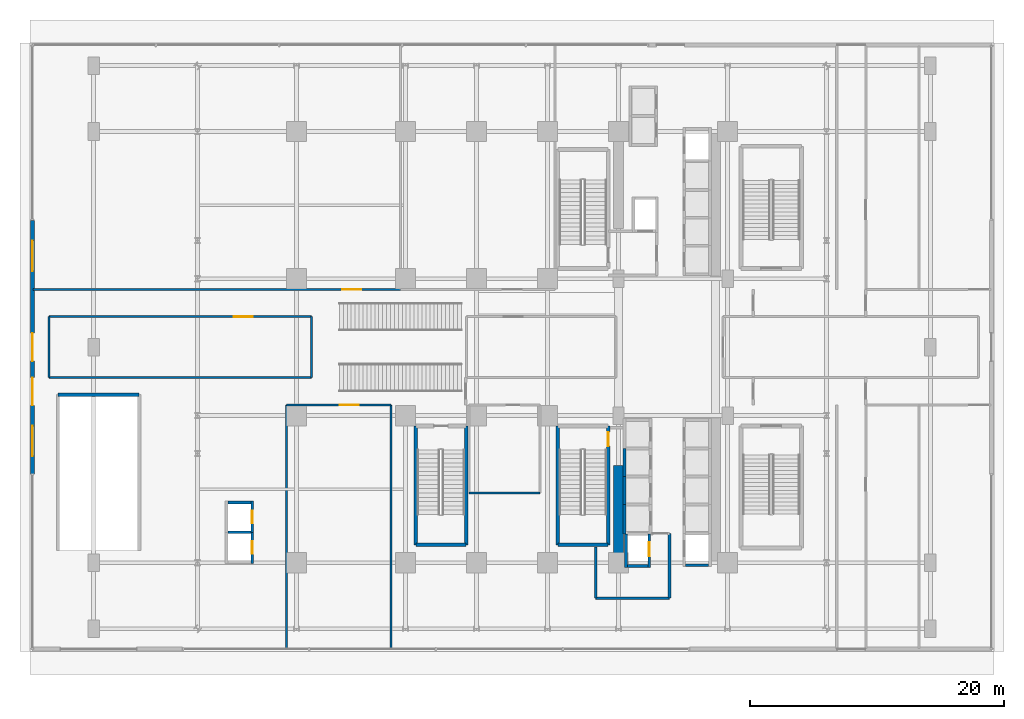
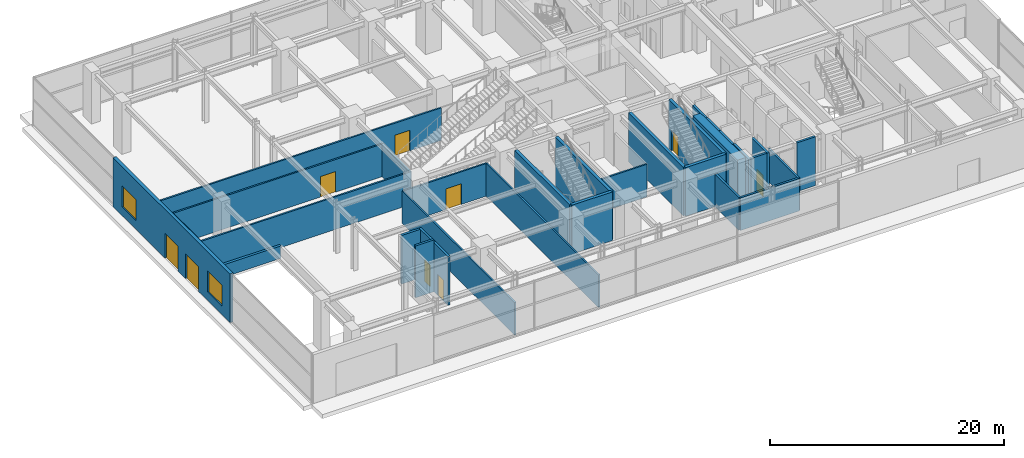
# One storey, part 22 of 29: 32 walls, 9 doors, 2 windows, 11 openings.
"""IFC4 building model written with IfcOpenShell, lengths in metres."""

import ifcopenshell
import ifcopenshell.guid

model = None  # the IFC model being written
_history = None  # IfcOwnerHistory: only IFC2X3 demands one
_inside = {}  # id of a spatial element -> (the spatial element, [elements in it])
_under = {}  # id of a project, library or spatial element -> (it, [spatial elements below it])
_declared = {}  # id of a project -> (the project, [libraries it declares])
_typed = {}  # id of a type object -> (the type object, [elements of that type])
_made_of = {}  # id of a material, layer set ... -> (it, [elements and type objects made of it])


def new_model(schema):
    """Start an empty IFC model of exactly this schema.

    Asked for "IFC4X3", IfcOpenShell would pick the latest addendum, in which some entities
    have other attributes; the version numbers below select the first issue.
    IFC2X3 requires an IfcOwnerHistory on every rooted entity: one is made here for all.
    """
    global model, _history
    if schema == "IFC4X3":
        model = ifcopenshell.file(schema_version=(4, 3, 0, 0))
    else:
        model = ifcopenshell.file(schema=schema)
    _inside.clear()
    _under.clear()
    _declared.clear()
    _typed.clear()
    _made_of.clear()
    _history = None
    if model.schema == "IFC2X3":
        org = make("IfcOrganization", Name="unknown")
        user = make(
            "IfcPersonAndOrganization",
            ThePerson=make("IfcPerson", FamilyName="unknown"),
            TheOrganization=org,
        )
        app = make(
            "IfcApplication",
            ApplicationDeveloper=org,
            Version="unknown",
            ApplicationFullName="unknown",
            ApplicationIdentifier="unknown",
        )
        _history = make(
            "IfcOwnerHistory",
            OwningUser=user,
            OwningApplication=app,
            ChangeAction="ADDED",
            CreationDate=0,
        )
    return model


def make(cls, **values):
    """One entity of the class cls with the attributes given. An attribute that is None is left unset."""
    return model.create_entity(
        cls, **{name: value for name, value in values.items() if value is not None}
    )


def rooted(cls, **values):
    """An entity with a GlobalId (a new one), such as an element, a storey or a relation."""
    return make(cls, GlobalId=ifcopenshell.guid.new(), OwnerHistory=_history, **values)


def si_unit(unit_type, name, prefix=None):
    """IfcSIUnit, for example si_unit("LENGTHUNIT", "METRE", prefix="MILLI")."""
    return make("IfcSIUnit", UnitType=unit_type, Prefix=prefix, Name=name)


def assignment(units):
    """IfcUnitAssignment: the units of a project."""
    return None if units is None else make("IfcUnitAssignment", Units=units)


def point(xyz):
    """IfcCartesianPoint."""
    return None if xyz is None else make("IfcCartesianPoint", Coordinates=xyz)


def direction(xyz):
    """IfcDirection."""
    return None if xyz is None else make("IfcDirection", DirectionRatios=xyz)


def frame(location, z_axis=None, x_axis=None):
    """IfcAxis2Placement3D, a coordinate frame: its origin and axes. An axis left out is left unset."""
    return make(
        "IfcAxis2Placement3D",
        Location=point(location),
        Axis=direction(z_axis),
        RefDirection=direction(x_axis),
    )


def frame_2d(location, x_axis=None):
    """IfcAxis2Placement2D, a coordinate frame in the plane: its origin and x axis."""
    return make(
        "IfcAxis2Placement2D", Location=point(location), RefDirection=direction(x_axis)
    )


def origin():
    """The frame at (0, 0, 0) with its axes left unset."""
    return frame((0.0, 0.0, 0.0))


def place(relative_to, where):
    """IfcLocalPlacement: puts the frame where relative to a parent placement (None: the world)."""
    return make(
        "IfcLocalPlacement", PlacementRelTo=relative_to, RelativePlacement=where
    )


def context(
    kind, dimensions, precision=None, world=None, true_north=None, identifier=None
):
    """IfcGeometricRepresentationContext, for example the 3D "Model" context."""
    return make(
        "IfcGeometricRepresentationContext",
        ContextIdentifier=identifier,
        ContextType=kind,
        CoordinateSpaceDimension=dimensions,
        Precision=precision,
        WorldCoordinateSystem=world,
        TrueNorth=true_north,
    )


def subcontext(parent, identifier, kind, view, scale=None):
    """IfcGeometricRepresentationSubContext, for example "Body" below "Model"."""
    return make(
        "IfcGeometricRepresentationSubContext",
        ContextIdentifier=identifier,
        ContextType=kind,
        ParentContext=parent,
        TargetScale=scale,
        TargetView=view,
    )


def project(units=None, contexts=None):
    """IfcProject with its units and contexts."""
    return rooted(
        "IfcProject",
        Name="project",
        RepresentationContexts=contexts,
        UnitsInContext=assignment(units),
    )


def spatial(cls, under=None, at=None, **own):
    """A site, building, storey or space (cls), placed at a placement, below another one or the project."""
    s = rooted(cls, ObjectPlacement=at, **own)
    if under is not None:
        _under.setdefault(under.id(), (under, []))[1].append(s)
    return s


def profile(cls, at=None, kind="AREA", **sizes):
    """A parametric profile (cls). Its sizes go by their IFC names, for example OverallWidth=200.0."""
    return make(cls, ProfileType=kind, Position=at, **sizes)


def rectangle(**sizes):
    """IfcRectangleProfileDef."""
    return profile("IfcRectangleProfileDef", **sizes)


def extrude(swept, where, along, depth):
    """IfcExtrudedAreaSolid: the profile swept, set in the frame where, extruded along a direction by depth."""
    return make(
        "IfcExtrudedAreaSolid",
        SweptArea=swept,
        Position=where,
        ExtrudedDirection=direction(along),
        Depth=depth,
    )


def shape(context_of_items, identifier, shape_type, items):
    """IfcShapeRepresentation: the items that make up one representation, for example the "Body"."""
    return make(
        "IfcShapeRepresentation",
        ContextOfItems=context_of_items,
        RepresentationIdentifier=identifier,
        RepresentationType=shape_type,
        Items=items,
    )


def source(mapping_origin, context_of_items, identifier, shape_type, items):
    """IfcRepresentationMap: a shape defined once, which mapped items show again and again."""
    return make(
        "IfcRepresentationMap",
        MappingOrigin=mapping_origin,
        MappedRepresentation=shape(context_of_items, identifier, shape_type, items),
    )


def transform(
    local_origin,
    x_axis=None,
    y_axis=None,
    z_axis=None,
    scale=None,
    scale2=None,
    scale3=None,
    uniform=True,
):
    """IfcCartesianTransformationOperator3D, or its non-uniform kind. x_axis, y_axis, z_axis: its Axis1, 2, 3."""
    if uniform:
        return make(
            "IfcCartesianTransformationOperator3D",
            Axis1=direction(x_axis),
            Axis2=direction(y_axis),
            LocalOrigin=point(local_origin),
            Scale=scale,
            Axis3=direction(z_axis),
        )
    return make(
        "IfcCartesianTransformationOperator3DnonUniform",
        Axis1=direction(x_axis),
        Axis2=direction(y_axis),
        LocalOrigin=point(local_origin),
        Scale=scale,
        Axis3=direction(z_axis),
        Scale2=scale2,
        Scale3=scale3,
    )


def mapped(mapping_source, mapping_target):
    """IfcMappedItem: shows the shape of a source again, moved by a transform."""
    return make(
        "IfcMappedItem", MappingSource=mapping_source, MappingTarget=mapping_target
    )


def material(Name=None, Category=None):
    """IfcMaterial."""
    return make("IfcMaterial", Name=Name, Category=Category)


def layer(
    of_material, thickness, ventilated=None, Name=None, Category=None, Priority=None
):
    """IfcMaterialLayer: one layer of a wall or slab, of a material (None: an air gap)."""
    return make(
        "IfcMaterialLayer",
        Material=of_material,
        LayerThickness=thickness,
        IsVentilated=ventilated,
        Name=Name,
        Category=Category,
        Priority=Priority,
    )


def layer_set(layers, Name=None):
    """IfcMaterialLayerSet."""
    return make("IfcMaterialLayerSet", MaterialLayers=layers, LayerSetName=Name)


def made_of(thing, what):
    """Note that an element or type object is made of a material, layer set ...; save() writes the relation."""
    if what is not None:
        _made_of.setdefault(what.id(), (what, []))[1].append(thing)
    return thing


def type_object(cls, material=None, **own):
    """A type object (cls), such as IfcWallType, which elements share."""
    return made_of(rooted(cls, **own), material)


def element(
    cls,
    number,
    at=None,
    inside=None,
    cuts=None,
    type_object=None,
    material=None,
    context=None,
    identifier="Body",
    shape_type=None,
    held_by="IfcProductDefinitionShape",
    body=None,
    shapes=None,
    **own,
):
    """One element of the class cls, such as IfcWall. Its Tag is "e" and its number.

    at: its placement. inside: the storey or other place that contains it. cuts: it is an
    opening in that element (IfcRelVoidsElement). A single representation is given by context,
    identifier, shape_type and body (its items); several are given by shapes. held_by: the class
    of the entity that holds the representations. save() writes the other relations.
    """
    e = rooted(cls, Tag="e%d" % number, ObjectPlacement=at, **own)
    if body is not None:
        shapes = [shape(context, identifier, shape_type, body)]
    if shapes is not None:
        e.Representation = make(held_by, Representations=shapes)
    if inside is not None:
        _inside.setdefault(inside.id(), (inside, []))[1].append(e)
    if cuts is not None:
        rooted(
            "IfcRelVoidsElement", RelatingBuildingElement=cuts, RelatedOpeningElement=e
        )
    if type_object is not None:
        _typed.setdefault(type_object.id(), (type_object, []))[1].append(e)
    return made_of(e, material)


def fill(opening, filler):
    """IfcRelFillsElement: the door or window that sits in an opening."""
    return rooted(
        "IfcRelFillsElement",
        RelatingOpeningElement=opening,
        RelatedBuildingElement=filler,
    )


def aggregate(whole, parts):
    """IfcRelAggregates: a whole, such as a stair, and the parts it consists of."""
    return rooted("IfcRelAggregates", RelatingObject=whole, RelatedObjects=parts)


def save(model, path):
    """Write the relations noted so far, then the file.

    IfcRelAggregates (storeys below a building ...), IfcRelContainedInSpatialStructure (elements
    in a storey), IfcRelDefinesByType, IfcRelAssociatesMaterial and IfcRelDeclares: one each for
    every whole, place, type object, material and project.
    """
    for whole, parts in _under.values():
        aggregate(whole, parts)
    for where, things in _inside.values():
        rooted(
            "IfcRelContainedInSpatialStructure",
            RelatedElements=things,
            RelatingStructure=where,
        )
    for kind, things in _typed.values():
        rooted("IfcRelDefinesByType", RelatedObjects=things, RelatingType=kind)
    for what, things in _made_of.values():
        rooted("IfcRelAssociatesMaterial", RelatedObjects=things, RelatingMaterial=what)
    for by, libraries in _declared.values():
        rooted("IfcRelDeclares", RelatingContext=by, RelatedDefinitions=libraries)
    model.write(path)


model = new_model("IFC4")

# Units and contexts
model_context = context("Model", 3, precision=1e-05, world=origin(), true_north=direction((0.0, 1.0)))
body_context = subcontext(model_context, "Body", "Model", "MODEL_VIEW")
ifc_project = project(units=[si_unit("LENGTHUNIT", "METRE"), si_unit("AREAUNIT", "SQUARE_METRE"), si_unit("VOLUMEUNIT", "CUBIC_METRE"), si_unit("PLANEANGLEUNIT", "RADIAN"), si_unit("MASSUNIT", "GRAM", prefix="KILO")], contexts=[model_context])

# Site, building, storey
site_placement = place(None, origin())
site = spatial("IfcSite", under=ifc_project, at=site_placement, CompositionType="ELEMENT")
building_placement = place(site_placement, origin())
building = spatial("IfcBuilding", under=site, at=building_placement, Name="Nahalor Promenade Grand Hotel", CompositionType="ELEMENT")
storey_placement = place(building_placement, origin())
storey = spatial("IfcBuildingStorey", under=building, at=storey_placement, Name="L00", CompositionType="ELEMENT", Elevation=0.0)

# Walls
ifc_material_1 = material(Name="Concrete B-70 (C60/75)", Category="concrete")
ifc_layer_1 = layer(ifc_material_1, 0.800048828125)
ifc_layer_set_1 = layer_set([ifc_layer_1], Name="Concrete B-70 (C60/75)")
wall_type_1 = type_object("IfcWallType", Name="Wall-CoreShear-800", PredefinedType="SHEAR", material=ifc_layer_set_1)
shared_shape_1 = source(origin(), body_context, "Body", "SweptSolid", [
    extrude(rectangle(XDim=7.64990234375, YDim=0.800048828125, at=frame_2d((3.824951171875, 0.0))), origin(), (0.0, 0.0, 1.0), 5.080078125),
])
wall_1_placement = place(storey_placement, frame((8.39990234375, -17.0, 0.0), z_axis=(0.0, 0.0, 1.0), x_axis=(0.0, 1.0, 0.0)))
element("IfcWall", 1, at=wall_1_placement, inside=storey, type_object=wall_type_1, Name="CWALL-L00-SW", PredefinedType="SHEAR", context=body_context, shape_type="MappedRepresentation", body=[
    mapped(shared_shape_1, transform((0.0, 0.0, 0.0), scale=1.0)),
])
ifc_material_2 = material(Name="Concrete B-50 (C40/50)", Category="concrete")
ifc_layer_2 = layer(ifc_material_2, 0.300048828125)
ifc_layer_set_2 = layer_set([ifc_layer_2], Name="Concrete B-50 (C40/50)")
wall_type_2 = type_object("IfcWallType", Name="Wall-ShaftShear-300", PredefinedType="SHEAR", material=ifc_layer_set_2)
shared_shape_2 = source(origin(), body_context, "Body", "SweptSolid", [
    extrude(rectangle(XDim=3.97998046875, YDim=0.300048828125, at=frame_2d((1.989990234375, 0.0))), origin(), (0.0, 0.0, 1.0), 5.080078125),
])
for number, where, z_axis, x_axis, name in (
    (2, (3.610107421875, -15.590087890625, 0.0), (0.0, 0.0, 1.0), (1.0, 0.0, 0.0), "L00 Exit Stair ST2 Shaft Wall S"),
    (3, (-7.590087890625, -15.590087890625, 0.0), (0.0, 0.0, 1.0), (1.0, 0.0, 0.0), "L00 Exit Stair ST3 Shaft Wall S"),
):
    element("IfcWall", number, at=place(storey_placement, frame(where, z_axis=z_axis, x_axis=x_axis)), inside=storey, type_object=wall_type_2, Name=name, PredefinedType="SHEAR", context=body_context, shape_type="MappedRepresentation", body=[
        mapped(shared_shape_2, transform((0.0, 0.0, 0.0), scale=1.0)),
    ])
shared_shape_3 = source(origin(), body_context, "Body", "SweptSolid", [
    extrude(rectangle(XDim=9.380126953125, YDim=0.300048828125, at=frame_2d((4.68994140625, 0.0))), origin(), (0.0, 0.0, 1.0), 5.080078125),
])
wall_2_placement = place(storey_placement, frame((3.610107421875, -15.590087890625, 0.0), z_axis=(0.0, 0.0, 1.0), x_axis=(0.0, 1.0, 0.0)))
element("IfcWall", 4, at=wall_2_placement, inside=storey, type_object=wall_type_2, Name="L00 Exit Stair ST2 Shaft Wall W", PredefinedType="SHEAR", context=body_context, shape_type="MappedRepresentation", body=[
    mapped(shared_shape_3, transform((0.0, 0.0, 0.0), scale=1.0)),
])

# Wall, opening, door
wall_3_placement = place(storey_placement, frame((7.590087890625, -15.590087890625, 0.0), z_axis=(0.0, 0.0, 1.0), x_axis=(0.0, 1.0, 0.0)))
wall_3 = element("IfcWall", 5, at=wall_3_placement, inside=storey, type_object=wall_type_2, Name="L00 Exit Stair ST2 Shaft Wall E", PredefinedType="SHEAR", context=body_context, shape_type="MappedRepresentation", body=[
    mapped(shared_shape_3, transform((0.0, 0.0, 0.0), scale=1.0)),
])
opening_1_placement = place(wall_3_placement, frame((7.7900390625, 0.0, 0.0)))
opening_1 = element("IfcOpeningElement", 6, at=opening_1_placement, cuts=wall_3, Name="Opening D-ST1", PredefinedType="OPENING", context=body_context, shape_type="SweptSolid", body=[
    extrude(rectangle(XDim=1.10009765625, YDim=2.14990234375, at=frame_2d((0.550048828125, 1.074951171875))), frame((0.0, 0.159912109375, 0.0), z_axis=(0.0, -1.0, 0.0), x_axis=(1.0, 0.0, 0.0)), (0.0, 0.0, 1.0), 0.320068359375),
])
ifc_material_3 = material(Name="Steel S355JR", Category="steel")
door_type_1 = type_object("IfcDoorType", Name="Door-StairFire-1100", OperationType="NOTDEFINED", PredefinedType="DOOR", material=ifc_material_3)
shared_shape_4 = source(origin(), body_context, "Body", "SweptSolid", [
    extrude(rectangle(XDim=1.10009765625, YDim=2.14990234375, at=frame_2d((0.550048828125, 1.074951171875))), frame((0.0, 0.02490234375, 0.0), z_axis=(0.0, -1.0, 0.0), x_axis=(1.0, 0.0, 0.0)), (0.0, 0.0, 1.0), 0.050048828125),
])
door_1_placement = place(opening_1_placement, frame((1.10009765625, 0.0, 0.0), z_axis=(0.0, 0.0, 1.0), x_axis=(-1.0, 0.0, 0.0)))
door_1 = element("IfcDoor", 7, at=door_1_placement, inside=storey, type_object=door_type_1, Name="DR-STAIR-ST2-L00", OperationType="SINGLE_SWING_LEFT", OverallHeight=2.14990234375, OverallWidth=1.10009765625, PredefinedType="DOOR", context=body_context, shape_type="MappedRepresentation", body=[
    mapped(shared_shape_4, transform((0.0, 0.0, 0.0), scale=1.0)),
])
fill(opening_1, door_1)

# Walls
for number, where, z_axis, x_axis, name in (
    (8, (-7.590087890625, -15.590087890625, 0.0), (0.0, 0.0, 1.0), (0.0, 1.0, 0.0), "L00 Exit Stair ST3 Shaft Wall W"),
    (9, (-3.610107421875, -15.590087890625, 0.0), (0.0, 0.0, 1.0), (0.0, 1.0, 0.0), "L00 Exit Stair ST3 Shaft Wall E"),
):
    element("IfcWall", number, at=place(storey_placement, frame(where, z_axis=z_axis, x_axis=x_axis)), inside=storey, type_object=wall_type_2, Name=name, PredefinedType="SHEAR", context=body_context, shape_type="MappedRepresentation", body=[
        mapped(shared_shape_3, transform((0.0, 0.0, 0.0), scale=1.0)),
    ])
ifc_layer_3 = layer(ifc_material_2, 0.219970703125)
ifc_layer_set_3 = layer_set([ifc_layer_3], Name="Concrete B-50 (C40/50)")
wall_type_3 = type_object("IfcWallType", Name="Wall-LiftShaft-220", PredefinedType="SHEAR", material=ifc_layer_set_3)
shared_shape_5 = source(origin(), body_context, "Body", "SweptSolid", [
    extrude(rectangle(XDim=1.820068359375, YDim=0.219970703125, at=frame_2d((0.91015625, 0.0))), origin(), (0.0, 0.0, 1.0), 5.080078125),
])
wall_4_placement = place(storey_placement, frame((13.68994140625, -17.199951171875, 0.0), z_axis=(0.0, 0.0, 1.0), x_axis=(1.0, 0.0, 0.0)))
element("IfcWall", 10, at=wall_4_placement, inside=storey, type_object=wall_type_3, Name="L00 Lift SV2 Hoistway Wall S", PredefinedType="SHEAR", context=body_context, shape_type="MappedRepresentation", body=[
    mapped(shared_shape_5, transform((0.0, 0.0, 0.0), scale=1.0)),
])
shared_shape_6 = source(origin(), body_context, "Body", "SweptSolid", [
    extrude(rectangle(XDim=2.199951171875, YDim=0.219970703125, at=frame_2d((1.10009765625, 0.0))), origin(), (0.0, 0.0, 1.0), 5.080078125),
])
for number, where, z_axis, x_axis, name in (
    (11, (8.8798828125, -10.199951171875, 0.0), (0.0, 0.0, 1.0), (0.0, 1.0, 0.0), "L00 Lift PL10 Hoistway Wall W"),
    (12, (8.8798828125, -12.39990234375, 0.0), (0.0, 0.0, 1.0), (0.0, 1.0, 0.0), "L00 Lift PL11 Hoistway Wall W"),
):
    element("IfcWall", number, at=place(storey_placement, frame(where, z_axis=z_axis, x_axis=x_axis)), inside=storey, type_object=wall_type_3, Name=name, PredefinedType="SHEAR", context=body_context, shape_type="MappedRepresentation", body=[
        mapped(shared_shape_6, transform((0.0, 0.0, 0.0), scale=1.0)),
    ])
shared_shape_7 = source(origin(), body_context, "Body", "SweptSolid", [
    extrude(rectangle(XDim=2.3251953125, YDim=0.219970703125, at=frame_2d((1.16259765625, 0.0))), origin(), (0.0, 0.0, 1.0), 5.080078125),
])
wall_5_placement = place(storey_placement, frame((8.8798828125, -14.72509765625, 0.0), z_axis=(0.0, 0.0, 1.0), x_axis=(0.0, 1.0, 0.0)))
element("IfcWall", 13, at=wall_5_placement, inside=storey, type_object=wall_type_3, Name="L00 Lift PL12 Hoistway Wall W", PredefinedType="SHEAR", context=body_context, shape_type="MappedRepresentation", body=[
    mapped(shared_shape_7, transform((0.0, 0.0, 0.0), scale=1.0)),
])
shared_shape_8 = source(origin(), body_context, "Body", "SweptSolid", [
    extrude(rectangle(XDim=2.635009765625, YDim=0.219970703125, at=frame_2d((1.3173828125, 0.0))), origin(), (0.0, 0.0, 1.0), 5.080078125),
])
wall_6_placement = place(storey_placement, frame((8.97998046875, -17.360107421875, 0.0), z_axis=(0.0, 0.0, 1.0), x_axis=(0.0, 1.0, 0.0)))
element("IfcWall", 14, at=wall_6_placement, inside=storey, type_object=wall_type_3, Name="L00 Lift FL2 Hoistway Wall W", PredefinedType="SHEAR", context=body_context, shape_type="MappedRepresentation", body=[
    mapped(shared_shape_8, transform((0.0, 0.0, 0.0), scale=1.0)),
])

# Wall, opening, door
wall_7_placement = place(storey_placement, frame((10.820068359375, -17.360107421875, 0.0), z_axis=(0.0, 0.0, 1.0), x_axis=(0.0, 1.0, 0.0)))
wall_7 = element("IfcWall", 15, at=wall_7_placement, inside=storey, type_object=wall_type_3, Name="L00 Lift FL2 Hoistway Wall E", PredefinedType="SHEAR", context=body_context, shape_type="MappedRepresentation", body=[
    mapped(shared_shape_8, transform((0.0, 0.0, 0.0), scale=1.0)),
])
opening_2_placement = place(wall_7_placement, frame((0.860107421875, 0.0, 0.0)))
opening_2 = element("IfcOpeningElement", 16, at=opening_2_placement, cuts=wall_7, Name="Opening LD-02", PredefinedType="OPENING", context=body_context, shape_type="SweptSolid", body=[
    extrude(rectangle(XDim=1.10009765625, YDim=2.199951171875, at=frame_2d((0.550048828125, 1.10009765625))), frame((0.0, 0.119873046875, 0.0), z_axis=(0.0, -1.0, 0.0), x_axis=(1.0, 0.0, 0.0)), (0.0, 0.0, 1.0), 0.239990234375),
])
door_type_2 = type_object("IfcDoorType", Name="Door-LiftFF-1100", OperationType="DOUBLE_DOOR_SLIDING", PredefinedType="DOOR", material=ifc_material_3)
shared_shape_9 = source(origin(), body_context, "Body", "SweptSolid", [
    extrude(rectangle(XDim=1.10009765625, YDim=2.199951171875, at=frame_2d((0.550048828125, 1.10009765625))), frame((0.0, 0.02490234375, 0.0), z_axis=(0.0, -1.0, 0.0), x_axis=(1.0, 0.0, 0.0)), (0.0, 0.0, 1.0), 0.050048828125),
])
door_2_placement = place(opening_2_placement, frame((1.10009765625, 0.0, 0.0), z_axis=(0.0, 0.0, 1.0), x_axis=(-1.0, 0.0, 0.0)))
door_2 = element("IfcDoor", 17, at=door_2_placement, inside=storey, type_object=door_type_2, Name="DR-LIFT-FL2-L00", OperationType="DOUBLE_DOOR_SLIDING", OverallHeight=2.199951171875, OverallWidth=1.10009765625, PredefinedType="DOOR", context=body_context, shape_type="MappedRepresentation", body=[
    mapped(shared_shape_9, transform((0.0, 0.0, 0.0), scale=1.0)),
])
fill(opening_2, door_2)

# Walls
shared_shape_10 = source(origin(), body_context, "Body", "SweptSolid", [
    extrude(rectangle(XDim=1.619873046875, YDim=0.219970703125, at=frame_2d((0.81005859375, 0.0))), origin(), (0.0, 0.0, 1.0), 5.080078125),
])
wall_8_placement = place(storey_placement, frame((9.090087890625, -17.25, 0.0), z_axis=(0.0, 0.0, 1.0), x_axis=(1.0, 0.0, 0.0)))
element("IfcWall", 18, at=wall_8_placement, inside=storey, type_object=wall_type_3, Name="L00 Lift FL2 Hoistway Wall S", PredefinedType="SHEAR", context=body_context, shape_type="MappedRepresentation", body=[
    mapped(shared_shape_10, transform((0.0, 0.0, 0.0), scale=1.0)),
])
shared_shape_11 = source(origin(), body_context, "Body", "SweptSolid", [
    extrude(rectangle(XDim=1.81982421875, YDim=0.219970703125, at=frame_2d((0.909912109375, 0.0))), origin(), (0.0, 0.0, 1.0), 5.39990234375),
])
wall_9_placement = place(storey_placement, frame((-22.409912109375, -14.60009765625, 0.0), z_axis=(0.0, 0.0, 1.0), x_axis=(1.0, 0.0, 0.0)))
element("IfcWall", 19, at=wall_9_placement, inside=storey, type_object=wall_type_3, Name="L00 Lift PD1 Hoistway Wall N", PredefinedType="SHEAR", context=body_context, shape_type="MappedRepresentation", body=[
    mapped(shared_shape_11, transform((0.0, 0.0, 0.0), scale=1.0)),
])

# Wall, opening, door
shared_shape_12 = source(origin(), body_context, "Body", "SweptSolid", [
    extrude(rectangle(XDim=2.4599609375, YDim=0.219970703125, at=frame_2d((1.22998046875, 0.0))), origin(), (0.0, 0.0, 1.0), 5.080078125),
])
wall_10_placement = place(storey_placement, frame((-20.47998046875, -17.06005859375, 0.0), z_axis=(0.0, 0.0, 1.0), x_axis=(0.0, 1.0, 0.0)))
wall_10 = element("IfcWall", 20, at=wall_10_placement, inside=storey, type_object=wall_type_3, Name="L00 Lift PD1 Hoistway Wall E", PredefinedType="SHEAR", context=body_context, shape_type="MappedRepresentation", body=[
    mapped(shared_shape_12, transform((0.0, 0.0, 0.0), scale=1.0)),
])
opening_3_placement = place(wall_10_placement, frame((0.760009765625, 0.0, 0.0)))
opening_3 = element("IfcOpeningElement", 21, at=opening_3_placement, cuts=wall_10, Name="Opening LD-01", PredefinedType="OPENING", context=body_context, shape_type="SweptSolid", body=[
    extrude(rectangle(XDim=1.0, YDim=2.199951171875, at=frame_2d((0.5, 1.10009765625))), frame((0.0, 0.119873046875, 0.0), z_axis=(0.0, -1.0, 0.0), x_axis=(1.0, 0.0, 0.0)), (0.0, 0.0, 1.0), 0.239990234375),
])
door_type_3 = type_object("IfcDoorType", Name="Door-LiftLanding-1000", OperationType="DOUBLE_DOOR_SLIDING", PredefinedType="DOOR", material=ifc_material_3)
shared_shape_13 = source(origin(), body_context, "Body", "SweptSolid", [
    extrude(rectangle(XDim=1.0, YDim=2.199951171875, at=frame_2d((0.5, 1.10009765625))), frame((0.0, 0.02490234375, 0.0), z_axis=(0.0, -1.0, 0.0), x_axis=(1.0, 0.0, 0.0)), (0.0, 0.0, 1.0), 0.050048828125),
])
door_3_placement = place(opening_3_placement, frame((1.0, 0.0, 0.0), z_axis=(0.0, 0.0, 1.0), x_axis=(-1.0, 0.0, 0.0)))
door_3 = element("IfcDoor", 22, at=door_3_placement, inside=storey, type_object=door_type_3, Name="DR-LIFT-PD1-L00", OperationType="DOUBLE_DOOR_SLIDING", OverallHeight=2.199951171875, OverallWidth=1.0, PredefinedType="DOOR", context=body_context, shape_type="MappedRepresentation", body=[
    mapped(shared_shape_13, transform((0.0, 0.0, 0.0), scale=1.0)),
])
fill(opening_3, door_3)

# Wall
shared_shape_14 = source(origin(), body_context, "Body", "SweptSolid", [
    extrude(rectangle(XDim=1.81982421875, YDim=0.219970703125, at=frame_2d((0.909912109375, 0.0))), origin(), (0.0, 0.0, 1.0), 5.080078125),
])
wall_11_placement = place(storey_placement, frame((-22.409912109375, -12.25, 0.0), z_axis=(0.0, 0.0, 1.0), x_axis=(1.0, 0.0, 0.0)))
element("IfcWall", 23, at=wall_11_placement, inside=storey, type_object=wall_type_3, Name="L00 Lift PD2 Hoistway Wall N", PredefinedType="SHEAR", context=body_context, shape_type="MappedRepresentation", body=[
    mapped(shared_shape_14, transform((0.0, 0.0, 0.0), scale=1.0)),
])

# Wall, opening, door
shared_shape_15 = source(origin(), body_context, "Body", "SweptSolid", [
    extrude(rectangle(XDim=2.460205078125, YDim=0.219970703125, at=frame_2d((1.22998046875, 0.0))), origin(), (0.0, 0.0, 1.0), 5.080078125),
])
wall_12_placement = place(storey_placement, frame((-20.47998046875, -14.60009765625, 0.0), z_axis=(0.0, 0.0, 1.0), x_axis=(0.0, 1.0, 0.0)))
wall_12 = element("IfcWall", 24, at=wall_12_placement, inside=storey, type_object=wall_type_3, Name="L00 Lift PD2 Hoistway Wall E", PredefinedType="SHEAR", context=body_context, shape_type="MappedRepresentation", body=[
    mapped(shared_shape_15, transform((0.0, 0.0, 0.0), scale=1.0)),
])
opening_4_placement = place(wall_12_placement, frame((0.699951171875, 0.0, 0.0)))
opening_4 = element("IfcOpeningElement", 25, at=opening_4_placement, cuts=wall_12, Name="Opening LD-01", PredefinedType="OPENING", context=body_context, shape_type="SweptSolid", body=[
    extrude(rectangle(XDim=1.0, YDim=2.199951171875, at=frame_2d((0.5, 1.10009765625))), frame((0.0, 0.119873046875, 0.0), z_axis=(0.0, -1.0, 0.0), x_axis=(1.0, 0.0, 0.0)), (0.0, 0.0, 1.0), 0.239990234375),
])
door_4_placement = place(opening_4_placement, frame((1.0, 0.0, 0.0), z_axis=(0.0, 0.0, 1.0), x_axis=(-1.0, 0.0, 0.0)))
door_4 = element("IfcDoor", 26, at=door_4_placement, inside=storey, type_object=door_type_3, Name="DR-LIFT-PD2-L00", OperationType="DOUBLE_DOOR_SLIDING", OverallHeight=2.199951171875, OverallWidth=1.0, PredefinedType="DOOR", context=body_context, shape_type="MappedRepresentation", body=[
    mapped(shared_shape_13, transform((0.0, 0.0, 0.0), scale=1.0)),
])
fill(opening_4, door_4)

# Wall
ifc_layer_4 = layer(ifc_material_2, 0.25)
ifc_layer_set_4 = layer_set([ifc_layer_4], Name="Concrete B-50 (C40/50)")
wall_type_4 = type_object("IfcWallType", Name="Wall-RampKerb-250", PredefinedType="PARTITIONING", material=ifc_layer_set_4)
shared_shape_16 = source(origin(), body_context, "Body", "SweptSolid", [
    extrude(rectangle(XDim=6.400146484375, YDim=0.25, at=frame_2d((3.2001953125, 0.0))), origin(), (0.0, 0.0, 1.0), 1.300048828125),
])
wall_13_placement = place(storey_placement, frame((-35.800048828125, -3.75, 0.0), z_axis=(0.0, 0.0, 1.0), x_axis=(1.0, 0.0, 0.0)))
element("IfcWall", 27, at=wall_13_placement, inside=storey, type_object=wall_type_4, Name="W-RWELL-L00-END", PredefinedType="PARTITIONING", context=body_context, shape_type="MappedRepresentation", body=[
    mapped(shared_shape_16, transform((0.0, 0.0, 0.0), scale=1.0)),
])

# Wall, openings, doors, windows
ifc_material_4 = material(Name="Concrete B-40 (C32/40)", Category="concrete")
ifc_layer_5 = layer(ifc_material_4, 0.320068359375)
ifc_layer_set_5 = layer_set([ifc_layer_5], Name="Concrete B-40 (C32/40)")
wall_type_5 = type_object("IfcWallType", Name="Wall-LimestonePier-320", PredefinedType="STANDARD", material=ifc_layer_set_5)
shared_shape_17 = source(origin(), body_context, "Body", "SweptSolid", [
    extrude(rectangle(XDim=20.0, YDim=0.320068359375, at=frame_2d((10.0, 0.0))), origin(), (0.0, 0.0, 1.0), 5.080078125),
])
wall_14_placement = place(storey_placement, frame((-37.820068359375, -10.0, 0.0), z_axis=(0.0, 0.0, 1.0), x_axis=(0.0, 1.0, 0.0)))
wall_14 = element("IfcWall", 28, at=wall_14_placement, inside=storey, type_object=wall_type_5, Name="W-L00-WM", PredefinedType="STANDARD", context=body_context, shape_type="MappedRepresentation", body=[
    mapped(shared_shape_17, transform((0.0, 0.0, 0.0), scale=1.0)),
])
opening_5_placement = place(wall_14_placement, frame((5.39990234375, 0.0, 0.0)))
opening_5 = element("IfcOpeningElement", 29, at=opening_5_placement, cuts=wall_14, Name="Opening ED-01", PredefinedType="OPENING", context=body_context, shape_type="SweptSolid", body=[
    extrude(rectangle(XDim=2.199951171875, YDim=2.60009765625, at=frame_2d((1.10009765625, 1.300048828125))), frame((0.0, 0.169921875, 0.0), z_axis=(0.0, -1.0, 0.0), x_axis=(1.0, 0.0, 0.0)), (0.0, 0.0, 1.0), 0.340087890625),
])
opening_6_placement = place(wall_14_placement, frame((8.89990234375, 0.0, 0.0)))
opening_6 = element("IfcOpeningElement", 30, at=opening_6_placement, cuts=wall_14, Name="Opening ED-01", PredefinedType="OPENING", context=body_context, shape_type="SweptSolid", body=[
    extrude(rectangle(XDim=2.199951171875, YDim=2.60009765625, at=frame_2d((1.10009765625, 1.300048828125))), frame((0.0, 0.169921875, 0.0), z_axis=(0.0, -1.0, 0.0), x_axis=(1.0, 0.0, 0.0)), (0.0, 0.0, 1.0), 0.340087890625),
])
opening_7_placement = place(wall_14_placement, frame((1.39990234375, 0.0, 0.89990234375)))
opening_7 = element("IfcOpeningElement", 31, at=opening_7_placement, cuts=wall_14, Name="Opening WN-02", PredefinedType="OPENING", context=body_context, shape_type="SweptSolid", body=[
    extrude(rectangle(XDim=2.39990234375, YDim=2.199951171875, at=frame_2d((1.199951171875, 1.10009765625))), frame((0.0, 0.169921875, 0.0), z_axis=(0.0, -1.0, 0.0), x_axis=(1.0, 0.0, 0.0)), (0.0, 0.0, 1.0), 0.340087890625),
])
opening_8_placement = place(wall_14_placement, frame((16.0, 0.0, 0.89990234375)))
opening_8 = element("IfcOpeningElement", 32, at=opening_8_placement, cuts=wall_14, Name="Opening WN-02", PredefinedType="OPENING", context=body_context, shape_type="SweptSolid", body=[
    extrude(rectangle(XDim=2.39990234375, YDim=2.199951171875, at=frame_2d((1.199951171875, 1.10009765625))), frame((0.0, 0.169921875, 0.0), z_axis=(0.0, -1.0, 0.0), x_axis=(1.0, 0.0, 0.0)), (0.0, 0.0, 1.0), 0.340087890625),
])
ifc_material_5 = material(Name="Anodised Bronze Aluminium EN AW-6063 T6", Category="aluminium")
door_type_4 = type_object("IfcDoorType", Name="Door-GrandExit-2200", OperationType="DOUBLE_DOOR_SINGLE_SWING", PredefinedType="DOOR", material=ifc_material_5)
shared_shape_18 = source(origin(), body_context, "Body", "SweptSolid", [
    extrude(rectangle(XDim=2.199951171875, YDim=2.60009765625, at=frame_2d((1.10009765625, 1.300048828125))), frame((0.0, 0.02490234375, 0.0), z_axis=(0.0, -1.0, 0.0), x_axis=(1.0, 0.0, 0.0)), (0.0, 0.0, 1.0), 0.050048828125),
])
door_5_placement = place(opening_5_placement, origin())
door_5 = element("IfcDoor", 33, at=door_5_placement, inside=storey, type_object=door_type_4, Name="DR-L00-ED02", OperationType="DOUBLE_DOOR_SINGLE_SWING", OverallHeight=2.60009765625, OverallWidth=2.199951171875, PredefinedType="DOOR", context=body_context, shape_type="MappedRepresentation", body=[
    mapped(shared_shape_18, transform((0.0, 0.0, 0.0), scale=1.0)),
])
fill(opening_5, door_5)
door_6_placement = place(opening_6_placement, origin())
door_6 = element("IfcDoor", 34, at=door_6_placement, inside=storey, type_object=door_type_4, Name="DR-L00-ED05", OperationType="DOUBLE_DOOR_SINGLE_SWING", OverallHeight=2.60009765625, OverallWidth=2.199951171875, PredefinedType="DOOR", context=body_context, shape_type="MappedRepresentation", body=[
    mapped(shared_shape_18, transform((0.0, 0.0, 0.0), scale=1.0)),
])
fill(opening_6, door_6)
ifc_material_6 = material(Name="Low-E Laminated Solar Glass", Category="glass")
window_type = type_object("IfcWindowType", Name="Win-PodiumArch-2400x2200", PartitioningType="SINGLE_PANEL", PredefinedType="WINDOW", material=ifc_material_6)
shared_shape_19 = source(origin(), body_context, "Body", "SweptSolid", [
    extrude(rectangle(XDim=2.39990234375, YDim=2.199951171875, at=frame_2d((1.199951171875, 1.10009765625))), frame((0.0, 0.030029296875, 0.0), z_axis=(0.0, -1.0, 0.0), x_axis=(1.0, 0.0, 0.0)), (0.0, 0.0, 1.0), 0.06005859375),
])
window_1_placement = place(opening_7_placement, origin())
window_1 = element("IfcWindow", 35, at=window_1_placement, inside=storey, type_object=window_type, Name="WN-L00-WM-S", OverallHeight=2.199951171875, OverallWidth=2.39990234375, PartitioningType="SINGLE_PANEL", PredefinedType="WINDOW", context=body_context, shape_type="MappedRepresentation", body=[
    mapped(shared_shape_19, transform((0.0, 0.0, 0.0), scale=1.0)),
])
fill(opening_7, window_1)
window_2_placement = place(opening_8_placement, origin())
window_2 = element("IfcWindow", 36, at=window_2_placement, inside=storey, type_object=window_type, Name="WN-L00-WM-N", OverallHeight=2.199951171875, OverallWidth=2.39990234375, PartitioningType="SINGLE_PANEL", PredefinedType="WINDOW", context=body_context, shape_type="MappedRepresentation", body=[
    mapped(shared_shape_19, transform((0.0, 0.0, 0.0), scale=1.0)),
])
fill(opening_8, window_2)

# Walls
ifc_layer_6 = layer(ifc_material_4, 0.199951171875)
ifc_layer_set_6 = layer_set([ifc_layer_6], Name="Concrete B-40 (C32/40)")
wall_type_6 = type_object("IfcWallType", Name="Wall-PartFire-200", PredefinedType="PARTITIONING", material=ifc_layer_set_6)
shared_shape_20 = source(origin(), body_context, "Body", "SweptSolid", [
    extrude(rectangle(XDim=5.81982421875, YDim=0.199951171875, at=frame_2d((2.909912109375, 0.0))), origin(), (0.0, 0.0, 1.0), 3.39990234375),
])
wall_15_placement = place(storey_placement, frame((6.60009765625, -19.800048828125, 0.0), z_axis=(0.0, 0.0, 1.0), x_axis=(1.0, 0.0, 0.0)))
element("IfcWall", 37, at=wall_15_placement, inside=storey, type_object=wall_type_6, Name="W-L00-FF2-S1", PredefinedType="PARTITIONING", context=body_context, shape_type="MappedRepresentation", body=[
    mapped(shared_shape_20, transform((0.0, 0.0, 0.0), scale=1.0)),
])
shared_shape_21 = source(origin(), body_context, "Body", "SweptSolid", [
    extrude(rectangle(XDim=4.030029296875, YDim=0.199951171875, at=frame_2d((2.01513671875, 0.0))), origin(), (0.0, 0.0, 1.0), 3.39990234375),
])
wall_16_placement = place(storey_placement, frame((6.60009765625, -19.800048828125, 0.0), z_axis=(0.0, 0.0, 1.0), x_axis=(0.0, 1.0, 0.0)))
element("IfcWall", 38, at=wall_16_placement, inside=storey, type_object=wall_type_6, Name="W-L00-FF2-W1", PredefinedType="PARTITIONING", context=body_context, shape_type="MappedRepresentation", body=[
    mapped(shared_shape_21, transform((0.0, 0.0, 0.0), scale=1.0)),
])
shared_shape_22 = source(origin(), body_context, "Body", "SweptSolid", [
    extrude(rectangle(XDim=5.10009765625, YDim=0.199951171875, at=frame_2d((2.550048828125, 0.0))), origin(), (0.0, 0.0, 1.0), 3.39990234375),
])
wall_17_placement = place(storey_placement, frame((12.419921875, -19.800048828125, 0.0), z_axis=(0.0, 0.0, 1.0), x_axis=(0.0, 1.0, 0.0)))
element("IfcWall", 39, at=wall_17_placement, inside=storey, type_object=wall_type_6, Name="W-L00-FF2-E", PredefinedType="PARTITIONING", context=body_context, shape_type="MappedRepresentation", body=[
    mapped(shared_shape_22, transform((0.0, 0.0, 0.0), scale=1.0)),
])
ifc_material_7 = material(Name="Acoustic Mineral Gypsum", Category="gypsum")
ifc_layer_7 = layer(ifc_material_7, 0.159912109375)
ifc_layer_set_7 = layer_set([ifc_layer_7], Name="Acoustic Mineral Gypsum")
wall_type_7 = type_object("IfcWallType", Name="Wall-PartCorridor-160", PredefinedType="PARTITIONING", material=ifc_layer_set_7)
shared_shape_23 = source(origin(), body_context, "Body", "SweptSolid", [
    extrude(rectangle(XDim=20.699951171875, YDim=0.159912109375, at=frame_2d((10.35009765625, 0.0))), origin(), (0.0, 0.0, 1.0), 3.39990234375),
])
wall_18_placement = place(storey_placement, frame((-36.5, -2.39990234375, 0.0), z_axis=(0.0, 0.0, 1.0), x_axis=(1.0, 0.0, 0.0)))
element("IfcWall", 40, at=wall_18_placement, inside=storey, type_object=wall_type_7, Name="W-L00-PR01-S", PredefinedType="PARTITIONING", context=body_context, shape_type="MappedRepresentation", body=[
    mapped(shared_shape_23, transform((0.0, 0.0, 0.0), scale=1.0)),
])

# Wall, opening, door
wall_19_placement = place(storey_placement, frame((-36.5, 2.39990234375, 0.0), z_axis=(0.0, 0.0, 1.0), x_axis=(1.0, 0.0, 0.0)))
wall_19 = element("IfcWall", 41, at=wall_19_placement, inside=storey, type_object=wall_type_7, Name="W-L00-PR01-N", PredefinedType="PARTITIONING", context=body_context, shape_type="MappedRepresentation", body=[
    mapped(shared_shape_23, transform((0.0, 0.0, 0.0), scale=1.0)),
])
opening_9_placement = place(wall_19_placement, frame((14.541015625, 0.0, 0.0)))
opening_9 = element("IfcOpeningElement", 42, at=opening_9_placement, cuts=wall_19, Name="Opening D-02", PredefinedType="OPENING", context=body_context, shape_type="SweptSolid", body=[
    extrude(rectangle(XDim=1.5, YDim=2.14990234375, at=frame_2d((0.75, 1.074951171875))), frame((0.0, 0.08984375, 0.0), z_axis=(0.0, -1.0, 0.0), x_axis=(1.0, 0.0, 0.0)), (0.0, 0.0, 1.0), 0.179931640625),
])
ifc_material_8 = material(Name="Fire-Rated Timber Composite", Category="wood")
door_type_5 = type_object("IfcDoorType", Name="Door-SuiteDouble-1500", OperationType="DOUBLE_DOOR_SINGLE_SWING", PredefinedType="DOOR", material=ifc_material_8)
shared_shape_24 = source(origin(), body_context, "Body", "SweptSolid", [
    extrude(rectangle(XDim=1.5, YDim=2.14990234375, at=frame_2d((0.75, 1.074951171875))), frame((0.0, 0.02490234375, 0.0), z_axis=(0.0, -1.0, 0.0), x_axis=(1.0, 0.0, 0.0)), (0.0, 0.0, 1.0), 0.050048828125),
])
door_7_placement = place(opening_9_placement, frame((1.5, 0.0, 0.0), z_axis=(0.0, 0.0, 1.0), x_axis=(-1.0, 0.0, 0.0)))
door_7 = element("IfcDoor", 43, at=door_7_placement, inside=storey, type_object=door_type_5, Name="DR-L00-PR01", OperationType="DOUBLE_DOOR_SINGLE_SWING", OverallHeight=2.14990234375, OverallWidth=1.5, PredefinedType="DOOR", context=body_context, shape_type="MappedRepresentation", body=[
    mapped(shared_shape_24, transform((0.0, 0.0, 0.0), scale=1.0)),
])
fill(opening_9, door_7)

# Walls
shared_shape_25 = source(origin(), body_context, "Body", "SweptSolid", [
    extrude(rectangle(XDim=4.7998046875, YDim=0.159912109375, at=frame_2d((2.39990234375, 0.0))), origin(), (0.0, 0.0, 1.0), 3.39990234375),
])
for number, where, z_axis, x_axis, name in (
    (44, (-36.5, -2.39990234375, 0.0), (0.0, 0.0, 1.0), (0.0, 1.0, 0.0), "W-L00-PR01-W"),
    (45, (-15.800048828125, -2.39990234375, 0.0), (0.0, 0.0, 1.0), (0.0, 1.0, 0.0), "W-L00-PR01-E"),
):
    element("IfcWall", number, at=place(storey_placement, frame(where, z_axis=z_axis, x_axis=x_axis)), inside=storey, type_object=wall_type_7, Name=name, PredefinedType="PARTITIONING", context=body_context, shape_type="MappedRepresentation", body=[
        mapped(shared_shape_25, transform((0.0, 0.0, 0.0), scale=1.0)),
    ])

# Wall, opening, door
shared_shape_26 = source(origin(), body_context, "Body", "SweptSolid", [
    extrude(rectangle(XDim=28.9599609375, YDim=0.159912109375, at=frame_2d((14.47998046875, 0.0))), origin(), (0.0, 0.0, 1.0), 3.39990234375),
])
wall_20_placement = place(storey_placement, frame((-37.760009765625, 4.550048828125, 0.0), z_axis=(0.0, 0.0, 1.0), x_axis=(1.0, 0.0, 0.0)))
wall_20 = element("IfcWall", 46, at=wall_20_placement, inside=storey, type_object=wall_type_7, Name="W-L00-PR04-S", PredefinedType="PARTITIONING", context=body_context, shape_type="MappedRepresentation", body=[
    mapped(shared_shape_26, transform((0.0, 0.0, 0.0), scale=1.0)),
])
opening_10_placement = place(wall_20_placement, frame((24.373046875, 0.0, 0.0)))
opening_10 = element("IfcOpeningElement", 47, at=opening_10_placement, cuts=wall_20, Name="Opening D-02", PredefinedType="OPENING", context=body_context, shape_type="SweptSolid", body=[
    extrude(rectangle(XDim=1.5, YDim=2.14990234375, at=frame_2d((0.75, 1.074951171875))), frame((0.0, 0.08984375, 0.0), z_axis=(0.0, -1.0, 0.0), x_axis=(1.0, 0.0, 0.0)), (0.0, 0.0, 1.0), 0.179931640625),
])
door_8_placement = place(opening_10_placement, origin())
door_8 = element("IfcDoor", 48, at=door_8_placement, inside=storey, type_object=door_type_5, Name="DR-L00-PR04", OperationType="DOUBLE_DOOR_SINGLE_SWING", OverallHeight=2.14990234375, OverallWidth=1.5, PredefinedType="DOOR", context=body_context, shape_type="MappedRepresentation", body=[
    mapped(shared_shape_24, transform((0.0, 0.0, 0.0), scale=1.0)),
])
fill(opening_10, door_8)

# Walls
shared_shape_27 = source(origin(), body_context, "Body", "SweptSolid", [
    extrude(rectangle(XDim=19.2099609375, YDim=0.159912109375, at=frame_2d((9.60498046875, 0.0))), origin(), (0.0, 0.0, 1.0), 3.39990234375),
])
for number, where, z_axis, x_axis, name in (
    (49, (-17.800048828125, -23.760009765625, 0.0), (0.0, 0.0, 1.0), (0.0, 1.0, 0.0), "W-L00-PR08-W"),
    (50, (-9.550048828125, -23.760009765625, 0.0), (0.0, 0.0, 1.0), (0.0, 1.0, 0.0), "W-L00-PR08-E"),
):
    element("IfcWall", number, at=place(storey_placement, frame(where, z_axis=z_axis, x_axis=x_axis)), inside=storey, type_object=wall_type_7, Name=name, PredefinedType="PARTITIONING", context=body_context, shape_type="MappedRepresentation", body=[
        mapped(shared_shape_27, transform((0.0, 0.0, 0.0), scale=1.0)),
    ])

# Wall, opening, door
shared_shape_28 = source(origin(), body_context, "Body", "SweptSolid", [
    extrude(rectangle(XDim=8.25, YDim=0.159912109375, at=frame_2d((4.125, 0.0))), origin(), (0.0, 0.0, 1.0), 3.39990234375),
])
wall_21_placement = place(storey_placement, frame((-17.800048828125, -4.550048828125, 0.0), z_axis=(0.0, 0.0, 1.0), x_axis=(1.0, 0.0, 0.0)))
wall_21 = element("IfcWall", 51, at=wall_21_placement, inside=storey, type_object=wall_type_7, Name="W-L00-PR08-N", PredefinedType="PARTITIONING", context=body_context, shape_type="MappedRepresentation", body=[
    mapped(shared_shape_28, transform((0.0, 0.0, 0.0), scale=1.0)),
])
opening_11_placement = place(wall_21_placement, frame((4.221923828125, 0.0, 0.0)))
opening_11 = element("IfcOpeningElement", 52, at=opening_11_placement, cuts=wall_21, Name="Opening D-02", PredefinedType="OPENING", context=body_context, shape_type="SweptSolid", body=[
    extrude(rectangle(XDim=1.5, YDim=2.14990234375, at=frame_2d((0.75, 1.074951171875))), frame((0.0, 0.08984375, 0.0), z_axis=(0.0, -1.0, 0.0), x_axis=(1.0, 0.0, 0.0)), (0.0, 0.0, 1.0), 0.179931640625),
])
door_9_placement = place(opening_11_placement, frame((1.5, 0.0, 0.0), z_axis=(0.0, 0.0, 1.0), x_axis=(-1.0, 0.0, 0.0)))
door_9 = element("IfcDoor", 53, at=door_9_placement, inside=storey, type_object=door_type_5, Name="DR-L00-PR08", OperationType="DOUBLE_DOOR_SINGLE_SWING", OverallHeight=2.14990234375, OverallWidth=1.5, PredefinedType="DOOR", context=body_context, shape_type="MappedRepresentation", body=[
    mapped(shared_shape_24, transform((0.0, 0.0, 0.0), scale=1.0)),
])
fill(opening_11, door_9)

# Wall
shared_shape_29 = source(origin(), body_context, "Body", "SweptSolid", [
    extrude(rectangle(XDim=5.599853515625, YDim=0.159912109375, at=frame_2d((2.7998046875, 0.0))), origin(), (0.0, 0.0, 1.0), 3.39990234375),
])
wall_22_placement = place(storey_placement, frame((-3.39990234375, -11.5, 0.0), z_axis=(0.0, 0.0, 1.0), x_axis=(1.0, 0.0, 0.0)))
element("IfcWall", 54, at=wall_22_placement, inside=storey, type_object=wall_type_7, Name="W-L00-PR10-S", PredefinedType="PARTITIONING", context=body_context, shape_type="MappedRepresentation", body=[
    mapped(shared_shape_29, transform((0.0, 0.0, 0.0), scale=1.0)),
])

save(model, "model.ifc")
